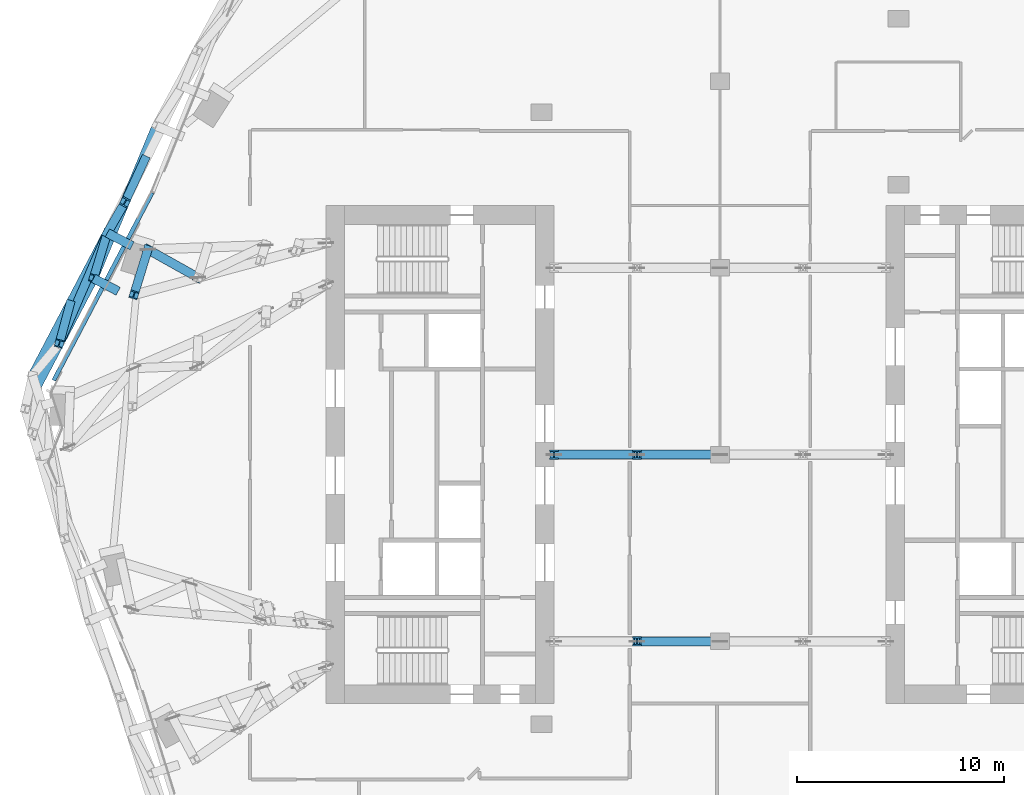
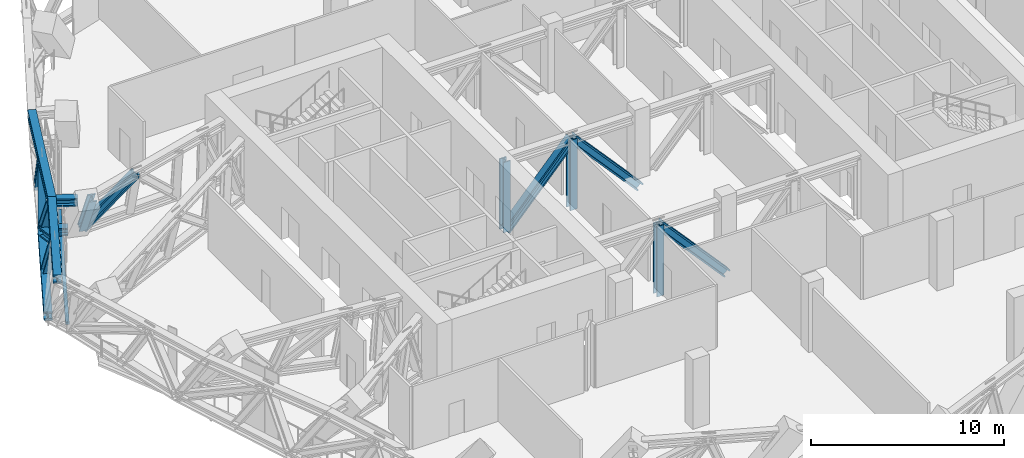
# One storey, part 7 of 31: 19 members, 1 element without a shape of its own.
"""IFC4 building model written with IfcOpenShell, lengths in metres."""

from ifc_helpers import new_model, si_unit, direction, frame, origin, origin_2d, place, context, subcontext, project, spatial, rectangle, i_section, extrude, material, material_profile, profile_set, type_object, element, aggregate, save


model = new_model("IFC4")

# Units and contexts
model_context = context("Model", 3, precision=1e-05, world=origin(), true_north=direction((0.0, 1.0)))
body_context = subcontext(model_context, "Body", "Model", "MODEL_VIEW")
ifc_project = project(units=[si_unit("LENGTHUNIT", "METRE"), si_unit("AREAUNIT", "SQUARE_METRE"), si_unit("VOLUMEUNIT", "CUBIC_METRE"), si_unit("PLANEANGLEUNIT", "RADIAN"), si_unit("MASSUNIT", "GRAM", prefix="KILO")], contexts=[model_context])

# Site, building, storey
site_placement = place(None, origin())
site = spatial("IfcSite", under=ifc_project, at=site_placement, CompositionType="ELEMENT")
building_placement = place(site_placement, origin())
building = spatial("IfcBuilding", under=site, at=building_placement, Name="Orlundy Tower", CompositionType="ELEMENT")
storey_placement = place(building_placement, frame((0.0, 0.0, 271.0)))
storey = spatial("IfcBuildingStorey", under=building, at=storey_placement, Name="L72", CompositionType="ELEMENT", Elevation=271.0)

# Members
ifc_material_1 = material(Name="Steel ASTM A992 Gr 50", Category="steel")
ifc_material_profile_1 = material_profile(ifc_material_1, i_section(OverallWidth=0.4423828125, OverallDepth=0.531494140625, WebThickness=0.06591796875, FlangeThickness=0.105712890625, at=origin_2d()), Name="W14X605")
ifc_profile_set_1 = profile_set([ifc_material_profile_1], Name="Steel ASTM A992 Gr 50")
member_type_1 = type_object("IfcMemberType", Name="BELT TRUSS chord W14X605", PredefinedType="CHORD", material=ifc_profile_set_1)
member_1_placement = place(storey_placement, frame((-27.15869140625, 15.83447265625, 3.71533203125), z_axis=(-0.382312863391, -0.924032940152, 0.0), x_axis=(0.924032940152, -0.382312863391, 0.0)))
element("IfcMember", 1, at=member_1_placement, inside=storey, type_object=member_type_1, Name="Belt truss top chord BT-22A", PredefinedType="CHORD", context=body_context, shape_type="SweptSolid", body=[
    extrude(i_section(OverallWidth=0.4423828125, OverallDepth=0.531494140625, WebThickness=0.06591796875, FlangeThickness=0.105712890625, at=origin_2d()), origin(), (0.0, 0.0, 1.0), 7.939453125),
])
member_2_placement = place(storey_placement, frame((-29.52587890625, 10.685791015625, 0.28466796875), z_axis=(-0.464363256306, -0.885644830727, 0.0), x_axis=(0.885644830727, -0.464363256306, 0.0)))
element("IfcMember", 2, at=member_2_placement, inside=storey, type_object=member_type_1, Name="Belt truss bottom chord BT-23A", PredefinedType="CHORD", context=body_context, shape_type="SweptSolid", body=[
    extrude(i_section(OverallWidth=0.4423828125, OverallDepth=0.531494140625, WebThickness=0.06591796875, FlangeThickness=0.105712890625, at=origin_2d()), origin(), (0.0, 0.0, 1.0), 7.758056640625),
])
member_3_placement = place(storey_placement, frame((-30.194091796875, 8.498046875, 3.71533203125), z_axis=(-0.464387169077, -0.885632292318, 0.0), x_axis=(0.885632292318, -0.464387169077, 0.0)))
element("IfcMember", 3, at=member_3_placement, inside=storey, type_object=member_type_1, Name="Belt truss top chord BT-23A", PredefinedType="CHORD", context=body_context, shape_type="SweptSolid", body=[
    extrude(i_section(OverallWidth=0.4423828125, OverallDepth=0.531494140625, WebThickness=0.06591796875, FlangeThickness=0.105712890625, at=origin_2d()), origin(), (0.0, 0.0, 1.0), 7.10205078125),
])
ifc_material_2 = material(Name="Steel ASTM A992 Gr 50", Category="steel")
ifc_material_profile_2 = material_profile(ifc_material_2, i_section(OverallWidth=0.42431640625, OverallDepth=0.47412109375, WebThickness=0.0478515625, FlangeThickness=0.0771484375, at=origin_2d()), Name="W14X426")
ifc_profile_set_2 = profile_set([ifc_material_profile_2], Name="Steel ASTM A992 Gr 50")
member_type_2 = type_object("IfcMemberType", Name="BELT TRUSS diagonal W14X426", PredefinedType="BRACE", material=ifc_profile_set_2)
member_4_placement = place(storey_placement, frame((-28.676513671875, 12.166259765625, 3.71533203125), z_axis=(-0.221662402877, -0.386364130798, -0.895314770114), x_axis=(0.867388024058, -0.49763241024, 0.0)))
element("IfcMember", 4, at=member_4_placement, inside=storey, type_object=member_type_2, Name="Belt truss diagonal BT-22A-1", PredefinedType="BRACE", context=body_context, shape_type="SweptSolid", body=[
    extrude(i_section(OverallWidth=0.42431640625, OverallDepth=0.47412109375, WebThickness=0.0478515625, FlangeThickness=0.0771484375, at=origin_2d()), origin(), (0.0, 0.0, 1.0), 3.831787109375),
])
member_5_placement = place(storey_placement, frame((-29.52587890625, 10.685791015625, 0.28466796875), z_axis=(-0.343225358874, -0.789913761867, 0.508165919597), x_axis=(0.917161486286, -0.398515756368, 0.0)))
element("IfcMember", 5, at=member_5_placement, inside=storey, type_object=member_type_2, Name="Belt truss diagonal BT-23A-0", PredefinedType="BRACE", context=body_context, shape_type="SweptSolid", body=[
    extrude(i_section(OverallWidth=0.42431640625, OverallDepth=0.47412109375, WebThickness=0.0478515625, FlangeThickness=0.0771484375, at=origin_2d()), origin(), (0.0, 0.0, 1.0), 6.7509765625),
])
ifc_material_3 = material(Name="Steel ASTM A992 Gr 50", Category="steel")
ifc_material_profile_3 = material_profile(ifc_material_3, i_section(OverallWidth=0.412109375, OverallDepth=0.434814453125, WebThickness=0.035888671875, FlangeThickness=0.057373046875, at=origin_2d()), Name="W14X311")
ifc_profile_set_3 = profile_set([ifc_material_profile_3], Name="Steel ASTM A992 Gr 50")
member_type_3 = type_object("IfcMemberType", Name="BELT TRUSS post W14X311", PredefinedType="POST", material=ifc_profile_set_3)
member_6_placement = place(storey_placement, frame((-27.724365234375, 14.22265625, 0.28466796875), z_axis=(-0.231579186613, -0.500151663806, 0.834397623151), x_axis=(0.907447890636, -0.420164641278, 0.0)))
element("IfcMember", 6, at=member_6_placement, inside=storey, type_object=member_type_3, Name="Belt truss post BT-22A-1", PredefinedType="POST", context=body_context, shape_type="SweptSolid", body=[
    extrude(i_section(OverallWidth=0.412109375, OverallDepth=0.434814453125, WebThickness=0.035888671875, FlangeThickness=0.057373046875, at=origin_2d()), origin(), (0.0, 0.0, 1.0), 4.111572265625),
])
member_7_placement = place(storey_placement, frame((-29.52587890625, 10.685791015625, 0.28466796875), z_axis=(-0.162054998884, -0.530571737302, 0.832004692843), x_axis=(0.956383877158, -0.292112785602, 0.0)))
element("IfcMember", 7, at=member_7_placement, inside=storey, type_object=member_type_3, Name="Belt truss post BT-22A-2", PredefinedType="POST", context=body_context, shape_type="SweptSolid", body=[
    extrude(i_section(OverallWidth=0.412109375, OverallDepth=0.434814453125, WebThickness=0.035888671875, FlangeThickness=0.057373046875, at=origin_2d()), origin(), (0.0, 0.0, 1.0), 4.123291015625),
])
member_8_placement = place(storey_placement, frame((-31.3271484375, 7.25048828125, 0.28466796875), z_axis=(-0.130460074574, -0.479855986556, 0.867593453819), x_axis=(0.964972678505, -0.262350394967, 0.0)))
element("IfcMember", 8, at=member_8_placement, inside=storey, type_object=member_type_3, Name="Belt truss post BT-23A-1", PredefinedType="POST", context=body_context, shape_type="SweptSolid", body=[
    extrude(i_section(OverallWidth=0.412109375, OverallDepth=0.434814453125, WebThickness=0.035888671875, FlangeThickness=0.057373046875, at=origin_2d()), origin(), (0.0, 0.0, 1.0), 3.954345703125),
])
ifc_material_4 = material(Name="Steel ASTM A992 Gr 50", Category="steel")
ifc_material_profile_4 = material_profile(ifc_material_4, i_section(OverallWidth=0.43212890625, OverallDepth=0.497802734375, WebThickness=0.0556640625, FlangeThickness=0.0888671875, at=origin_2d()), Name="W14X500")
ifc_profile_set_4 = profile_set([ifc_material_profile_4], Name="Steel ASTM A992 Gr 50")
member_type_4 = type_object("IfcMemberType", Name="BELT TRUSS strut W14X500", PredefinedType="STRUT", material=ifc_profile_set_4)
for number, where, z_axis, x_axis, name in (
    (9, (-28.3349609375, 10.061279296875, 0.28466796875), (-0.885618229405, 0.464413987457, 0.0), (-0.464413987457, -0.885618229405, 0.0), "Belt truss bracket C-H20"),
    (10, (-29.003173828125, 7.87353515625, 3.71533203125), (-0.885618229405, 0.464413987457, 0.0), (-0.464413987457, -0.885618229405, 0.0), "Belt truss bracket C-H20"),
):
    element("IfcMember", number, at=place(storey_placement, frame(where, z_axis=z_axis, x_axis=x_axis)), inside=storey, type_object=member_type_4, Name=name, PredefinedType="STRUT", context=body_context, shape_type="SweptSolid", body=[
        extrude(i_section(OverallWidth=0.43212890625, OverallDepth=0.497802734375, WebThickness=0.0556640625, FlangeThickness=0.0888671875, at=origin_2d()), origin(), (0.0, 0.0, 1.0), 1.3447265625),
    ])

# Curtain wall, member
ifc_material_5 = material(Name="Aluminium bronze anodised", Category="aluminium")
curtain_wall_type = type_object("IfcCurtainWallType", Name="CW4 wall", PredefinedType="NOTDEFINED", material=ifc_material_5)
curtain_wall_placement = place(storey_placement, origin())
curtain_wall = element("IfcCurtainWall", 11, at=curtain_wall_placement, inside=storey, type_object=curtain_wall_type, Name="CW4 run 07", PredefinedType="NOTDEFINED")
ifc_material_6 = material(Name="Aluminium bronze anodised", Category="aluminium")
ifc_material_profile_5 = material_profile(ifc_material_6, rectangle(XDim=0.199951171875, YDim=0.14990234375, at=origin_2d()), Name="CW4 transom 200x150")
ifc_profile_set_5 = profile_set([ifc_material_profile_5], Name="Aluminium bronze anodised")
member_type_5 = type_object("IfcMemberType", Name="CW4 transom 200x150", PredefinedType="USERDEFINED", material=ifc_profile_set_5)
member_9_placement = place(storey_placement, frame((-32.108154296875, 3.581298828125, -0.375), z_axis=(0.464355397564, 0.885648951195, 0.0), x_axis=(-0.885648951195, 0.464355397564, 0.0)))
member_9 = element("IfcMember", 12, at=member_9_placement, type_object=member_type_5, Name="CW4 transom", ObjectType="TRANSOM", PredefinedType="USERDEFINED", context=body_context, shape_type="SweptSolid", body=[
    extrude(rectangle(XDim=0.199951171875, YDim=0.14990234375, at=origin_2d()), origin(), (0.0, 0.0, 1.0), 10.2109375),
])
aggregate(curtain_wall, [member_9])

# Members
ifc_material_7 = material(Name="Steel ASTM A992 Gr 50", Category="steel")
ifc_material_profile_6 = material_profile(ifc_material_7, i_section(OverallWidth=0.43212890625, OverallDepth=0.497802734375, WebThickness=0.0556640625, FlangeThickness=0.0888671875, at=origin_2d()), Name="W14X500")
ifc_profile_set_6 = profile_set([ifc_material_profile_6], Name="Steel ASTM A992 Gr 50")
member_type_6 = type_object("IfcMemberType", Name="OUTRIGGER TRUSS diagonal W14X500", PredefinedType="BRACE", material=ifc_profile_set_6)
member_10_placement = place(storey_placement, frame((-25.15625, 8.5341796875, 3.71533203125), z_axis=(-0.548556203985, 0.307096284898, -0.777674715335), x_axis=(-0.48848809778, -0.872570557793, 0.0)))
element("IfcMember", 13, at=member_10_placement, inside=storey, type_object=member_type_6, Name="Outrigger truss diagonal OR-W-C-H20-3", PredefinedType="BRACE", context=body_context, shape_type="SweptSolid", body=[
    extrude(i_section(OverallWidth=0.43212890625, OverallDepth=0.497802734375, WebThickness=0.0556640625, FlangeThickness=0.0888671875, at=origin_2d()), origin(), (0.0, 0.0, 1.0), 4.411376953125),
])
ifc_material_8 = material(Name="Steel ASTM A992 Gr 50", Category="steel")
ifc_material_profile_7 = material_profile(ifc_material_8, i_section(OverallWidth=0.41845703125, OverallDepth=0.455078125, WebThickness=0.0419921875, FlangeThickness=0.067626953125, at=origin_2d()), Name="W14X370")
ifc_profile_set_7 = profile_set([ifc_material_profile_7], Name="Steel ASTM A992 Gr 50")
member_type_7 = type_object("IfcMemberType", Name="OUTRIGGER TRUSS post W14X370", PredefinedType="POST", material=ifc_profile_set_7)
member_11_placement = place(storey_placement, frame((-27.576171875, 9.888916015625, 0.28466796875), z_axis=(-0.162054998884, -0.530571737302, 0.832004692843), x_axis=(0.956383877158, -0.292112785602, 0.0)))
element("IfcMember", 14, at=member_11_placement, inside=storey, type_object=member_type_7, Name="Outrigger truss post OR-W-C-H20-4", PredefinedType="POST", context=body_context, shape_type="SweptSolid", body=[
    extrude(i_section(OverallWidth=0.41845703125, OverallDepth=0.455078125, WebThickness=0.0419921875, FlangeThickness=0.067626953125, at=origin_2d()), origin(), (0.0, 0.0, 1.0), 4.123291015625),
])
ifc_material_9 = material(Name="Steel ASTM A992 Gr 50", Category="steel")
ifc_material_profile_8 = material_profile(ifc_material_9, i_section(OverallWidth=0.43212890625, OverallDepth=0.497802734375, WebThickness=0.0556640625, FlangeThickness=0.0888671875, at=origin_2d()), Name="W14X500")
ifc_profile_set_8 = profile_set([ifc_material_profile_8], Name="Steel ASTM A992 Gr 50")
member_type_8 = type_object("IfcMemberType", Name="PORTAL TRUSS diagonal W14X500", PredefinedType="BRACE", material=ifc_profile_set_8)
for number, where, z_axis, x_axis, name in (
    (15, (-4.0, -9.0, 3.71533203125), (0.668506986445, 0.0, -0.743705861934), (0.0, 1.0, 0.0), "Portal truss diagonal PT-01-1"),
    (16, (-8.0, 0.0, -0.734619140625), (0.668506986445, 0.0, 0.743705861934), (0.0, 1.0, 0.0), "Portal truss diagonal PT-02-0"),
    (17, (-4.0, 0.0, 3.71533203125), (0.668506986445, 0.0, -0.743705861934), (0.0, 1.0, 0.0), "Portal truss diagonal PT-02-1"),
):
    element("IfcMember", number, at=place(storey_placement, frame(where, z_axis=z_axis, x_axis=x_axis)), inside=storey, type_object=member_type_8, Name=name, PredefinedType="BRACE", context=body_context, shape_type="SweptSolid", body=[
        extrude(i_section(OverallWidth=0.43212890625, OverallDepth=0.497802734375, WebThickness=0.0556640625, FlangeThickness=0.0888671875, at=origin_2d()), origin(), (0.0, 0.0, 1.0), 5.9833984375),
    ])
ifc_material_10 = material(Name="Steel ASTM A992 Gr 50", Category="steel")
ifc_material_profile_9 = material_profile(ifc_material_10, i_section(OverallWidth=0.41845703125, OverallDepth=0.455078125, WebThickness=0.0419921875, FlangeThickness=0.067626953125, at=origin_2d()), Name="W14X370")
ifc_profile_set_9 = profile_set([ifc_material_profile_9], Name="Steel ASTM A992 Gr 50")
member_type_9 = type_object("IfcMemberType", Name="PORTAL TRUSS post W14X370", PredefinedType="POST", material=ifc_profile_set_9)
for number, where, z_axis, x_axis, name in (
    (18, (-4.0, -9.0, -0.734619140625), (0.0, 0.0, 1.0), (1.0, 0.0, 0.0), "Portal truss post PT-01-1"),
    (19, (-8.0, 0.0, -0.734619140625), (0.0, 0.0, 1.0), (1.0, 0.0, 0.0), "Portal truss post PT-02-0"),
    (20, (-4.0, 0.0, -0.734619140625), (0.0, 0.0, 1.0), (1.0, 0.0, 0.0), "Portal truss post PT-02-1"),
):
    element("IfcMember", number, at=place(storey_placement, frame(where, z_axis=z_axis, x_axis=x_axis)), inside=storey, type_object=member_type_9, Name=name, PredefinedType="POST", context=body_context, shape_type="SweptSolid", body=[
        extrude(i_section(OverallWidth=0.41845703125, OverallDepth=0.455078125, WebThickness=0.0419921875, FlangeThickness=0.067626953125, at=origin_2d()), origin(), (0.0, 0.0, 1.0), 4.449951171875),
    ])

save(model, "model.ifc")
